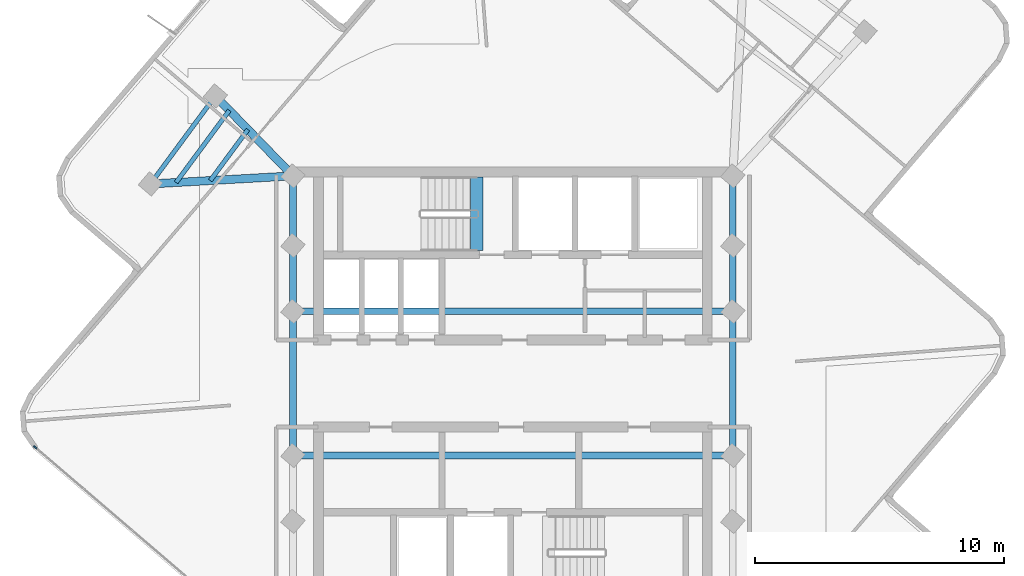
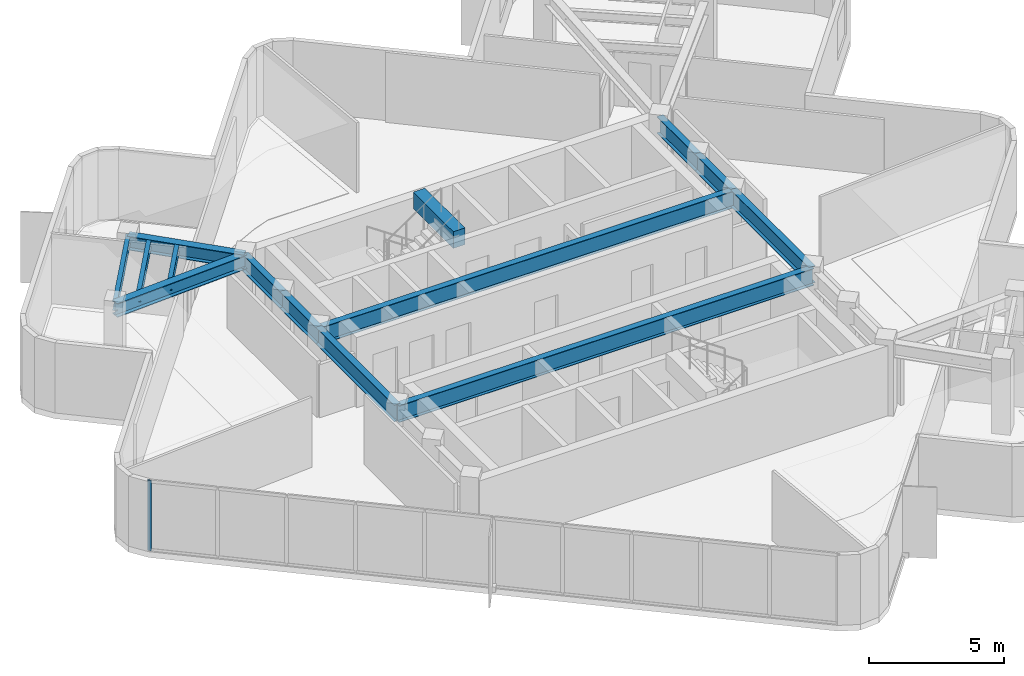
# One storey, part 4 of 11: 14 beams, 1 member, 1 element without a shape of its own.
"""IFC4 building model written with IfcOpenShell, lengths in metres."""

from ifc_helpers import new_model, si_unit, direction, frame, origin, origin_2d, place, context, subcontext, project, spatial, rectangle, i_section, extrude, material, layer, layer_set, material_profile, profile_set, type_object, element, aggregate, save


model = new_model("IFC4")

# Units and contexts
model_context = context("Model", 3, precision=1e-05, world=origin(), true_north=direction((0.0, 1.0)))
body_context = subcontext(model_context, "Body", "Model", "MODEL_VIEW")
ifc_project = project(units=[si_unit("LENGTHUNIT", "METRE"), si_unit("AREAUNIT", "SQUARE_METRE"), si_unit("VOLUMEUNIT", "CUBIC_METRE"), si_unit("PLANEANGLEUNIT", "RADIAN"), si_unit("MASSUNIT", "GRAM", prefix="KILO")], contexts=[model_context])

# Site, building, storey
site_placement = place(None, origin())
site = spatial("IfcSite", under=ifc_project, at=site_placement, CompositionType="ELEMENT")
building_placement = place(site_placement, origin())
building = spatial("IfcBuilding", under=site, at=building_placement, Name="Solmarez Civic Tower", CompositionType="ELEMENT")
storey_placement = place(building_placement, frame((0.0, 0.0, 250.919921875)))
storey = spatial("IfcBuildingStorey", under=building, at=storey_placement, Name="L67", CompositionType="ELEMENT", Elevation=250.919921875)

# Beams
ifc_material_1 = material(Name="Steel S355", Category="steel")
ifc_material_profile_1 = material_profile(ifc_material_1, i_section(OverallWidth=0.178955078125, OverallDepth=0.409912109375, WebThickness=0.0087890625, FlangeThickness=0.014404296875, at=origin_2d()), Name="W16X45")
ifc_profile_set_1 = profile_set([ifc_material_profile_1], Name="Steel S355")
beam_type_1 = type_object("IfcBeamType", Name="BM-JS-W16X45", PredefinedType="JOIST", material=ifc_profile_set_1)
beam_1_placement = place(storey_placement, frame((-11.970947265625, 11.56591796875, 2.955078125), z_axis=(-0.593730834471, -0.804663716219, 0.0), x_axis=(0.804663716219, -0.593730834471, 0.0)))
element("IfcBeam", 1, at=beam_1_placement, inside=storey, type_object=beam_type_1, Name="L67 Secondary Floor Joist BM-L67-NA-T1", PredefinedType="JOIST", context=body_context, shape_type="SweptSolid", body=[
    extrude(i_section(OverallWidth=0.178955078125, OverallDepth=0.409912109375, WebThickness=0.0087890625, FlangeThickness=0.014404296875, at=origin_2d()), origin(), (0.0, 0.0, 1.0), 4.3994140625),
])
beam_2_placement = place(storey_placement, frame((-10.659912109375, 10.215087890625, 2.955078125), z_axis=(-0.593812477683, -0.804603468392, 0.0), x_axis=(0.804603468392, -0.593812477683, 0.0)))
element("IfcBeam", 2, at=beam_2_placement, inside=storey, type_object=beam_type_1, Name="L67 Secondary Floor Joist JS-L67-NA-M11", PredefinedType="JOIST", context=body_context, shape_type="SweptSolid", body=[
    extrude(i_section(OverallWidth=0.178955078125, OverallDepth=0.409912109375, WebThickness=0.0087890625, FlangeThickness=0.014404296875, at=origin_2d()), origin(), (0.0, 0.0, 1.0), 2.551513671875),
])
beam_3_placement = place(storey_placement, frame((-11.408935546875, 10.987060546875, 2.955078125), z_axis=(-0.593734433343, -0.804661060735, 0.0), x_axis=(0.804661060735, -0.593734433343, 0.0)))
element("IfcBeam", 3, at=beam_3_placement, inside=storey, type_object=beam_type_1, Name="L67 Secondary Floor Joist JS-L67-NA-M12", PredefinedType="JOIST", context=body_context, shape_type="SweptSolid", body=[
    extrude(i_section(OverallWidth=0.178955078125, OverallDepth=0.409912109375, WebThickness=0.0087890625, FlangeThickness=0.014404296875, at=origin_2d()), origin(), (0.0, 0.0, 1.0), 3.60791015625),
])
ifc_material_2 = material(Name="Concrete C50/60", Category="concrete")
ifc_material_profile_2 = material_profile(ifc_material_2, rectangle(XDim=0.5, YDim=0.75, at=origin_2d()), Name="RC500X750")
ifc_profile_set_2 = profile_set([ifc_material_profile_2], Name="Concrete C50/60")
beam_type_2 = type_object("IfcBeamType", Name="BM-PR-RC500X750", PredefinedType="BEAM", material=ifc_profile_set_2)
beam_4_placement = place(storey_placement, frame((-1.449951171875, 5.340087890625, 3.052978515625), z_axis=(0.0, 1.0, 0.0), x_axis=(-1.0, 0.0, 0.0)))
element("IfcBeam", 4, at=beam_4_placement, inside=storey, type_object=beam_type_2, Name="L67 North Stair Threshold Beam", PredefinedType="BEAM", context=body_context, shape_type="SweptSolid", body=[
    extrude(rectangle(XDim=0.5, YDim=0.75, at=origin_2d()), origin(), (0.0, 0.0, 1.0), 2.9599609375),
])
ifc_material_profile_3 = material_profile(ifc_material_1, i_section(OverallWidth=0.327880859375, OverallDepth=0.6220703125, WebThickness=0.015380859375, FlangeThickness=0.0244140625, at=origin_2d()), Name="W24X131")
ifc_profile_set_3 = profile_set([ifc_material_profile_3], Name="Steel S355")
beam_type_3 = type_object("IfcBeamType", Name="BM-PR-W24X131", PredefinedType="BEAM", material=ifc_profile_set_3)
beam_5_placement = place(storey_placement, frame((-8.85009765625, 8.35009765625, 2.84912109375), z_axis=(-0.696430820305, 0.717623935309, 0.0), x_axis=(-0.717623935309, -0.696430820305, 0.0)))
element("IfcBeam", 5, at=beam_5_placement, inside=storey, type_object=beam_type_3, Name="L67 Primary Floor Beam BM-L67-NA-R1A", PredefinedType="BEAM", context=body_context, shape_type="SweptSolid", body=[
    extrude(i_section(OverallWidth=0.327880859375, OverallDepth=0.6220703125, WebThickness=0.015380859375, FlangeThickness=0.0244140625, at=origin_2d()), origin(), (0.0, 0.0, 1.0), 4.481201171875),
])
beam_6_placement = place(storey_placement, frame((-8.85009765625, 8.35009765625, 2.84912109375), z_axis=(-0.998404650863, -0.056463732917, 0.0), x_axis=(0.056463732917, -0.998404650863, 0.0)))
element("IfcBeam", 6, at=beam_6_placement, inside=storey, type_object=beam_type_3, Name="L67 Primary Floor Beam BM-L67-NA-R1B", PredefinedType="BEAM", context=body_context, shape_type="SweptSolid", body=[
    extrude(i_section(OverallWidth=0.327880859375, OverallDepth=0.6220703125, WebThickness=0.015380859375, FlangeThickness=0.0244140625, at=origin_2d()), origin(), (0.0, 0.0, 1.0), 5.7421875),
])
ifc_material_profile_4 = material_profile(ifc_material_1, i_section(OverallWidth=0.26708984375, OverallDepth=0.761962890625, WebThickness=0.014404296875, FlangeThickness=0.021484375, at=origin_2d()), Name="W30X116")
ifc_profile_set_4 = profile_set([ifc_material_profile_4], Name="Steel S355")
beam_type_4 = type_object("IfcBeamType", Name="BM-PR-W30X116", PredefinedType="BEAM", material=ifc_profile_set_4)
beam_7_placement = place(storey_placement, frame((-8.85009765625, -2.89990234375, 2.779052734375), z_axis=(0.0, 1.0, 0.0), x_axis=(-1.0, 0.0, 0.0)))
element("IfcBeam", 7, at=beam_7_placement, inside=storey, type_object=beam_type_4, Name="L67 Primary Floor Beam BM-L67-HC2-HC3", PredefinedType="BEAM", context=body_context, shape_type="SweptSolid", body=[
    extrude(i_section(OverallWidth=0.26708984375, OverallDepth=0.761962890625, WebThickness=0.014404296875, FlangeThickness=0.021484375, at=origin_2d()), origin(), (0.0, 0.0, 1.0), 5.7998046875),
])
beam_8_placement = place(storey_placement, frame((-8.85009765625, 2.89990234375, 2.779052734375), z_axis=(0.0, 1.0, 0.0), x_axis=(-1.0, 0.0, 0.0)))
element("IfcBeam", 8, at=beam_8_placement, inside=storey, type_object=beam_type_4, Name="L67 Primary Floor Beam BM-L67-HC3-HC4", PredefinedType="BEAM", context=body_context, shape_type="SweptSolid", body=[
    extrude(i_section(OverallWidth=0.26708984375, OverallDepth=0.761962890625, WebThickness=0.014404296875, FlangeThickness=0.021484375, at=origin_2d()), origin(), (0.0, 0.0, 1.0), 2.650146484375),
])
beam_9_placement = place(storey_placement, frame((-8.85009765625, 5.550048828125, 2.779052734375), z_axis=(0.0, 1.0, 0.0), x_axis=(-1.0, 0.0, 0.0)))
element("IfcBeam", 9, at=beam_9_placement, inside=storey, type_object=beam_type_4, Name="L67 Primary Floor Beam BM-L67-HC4-HC9", PredefinedType="BEAM", context=body_context, shape_type="SweptSolid", body=[
    extrude(i_section(OverallWidth=0.26708984375, OverallDepth=0.761962890625, WebThickness=0.014404296875, FlangeThickness=0.021484375, at=origin_2d()), origin(), (0.0, 0.0, 1.0), 2.800048828125),
])
beam_10_placement = place(storey_placement, frame((8.85009765625, -2.89990234375, 2.779052734375), z_axis=(0.0, 1.0, 0.0), x_axis=(-1.0, 0.0, 0.0)))
element("IfcBeam", 10, at=beam_10_placement, inside=storey, type_object=beam_type_4, Name="L67 Primary Floor Beam BM-L67-HC6-HC7", PredefinedType="BEAM", context=body_context, shape_type="SweptSolid", body=[
    extrude(i_section(OverallWidth=0.26708984375, OverallDepth=0.761962890625, WebThickness=0.014404296875, FlangeThickness=0.021484375, at=origin_2d()), origin(), (0.0, 0.0, 1.0), 5.7998046875),
])
beam_11_placement = place(storey_placement, frame((8.85009765625, 2.89990234375, 2.779052734375), z_axis=(0.0, 1.0, 0.0), x_axis=(-1.0, 0.0, 0.0)))
element("IfcBeam", 11, at=beam_11_placement, inside=storey, type_object=beam_type_4, Name="L67 Primary Floor Beam BM-L67-HC7-HC8", PredefinedType="BEAM", context=body_context, shape_type="SweptSolid", body=[
    extrude(i_section(OverallWidth=0.26708984375, OverallDepth=0.761962890625, WebThickness=0.014404296875, FlangeThickness=0.021484375, at=origin_2d()), origin(), (0.0, 0.0, 1.0), 2.650146484375),
])
beam_12_placement = place(storey_placement, frame((8.85009765625, 5.550048828125, 2.779052734375), z_axis=(0.0, 1.0, 0.0), x_axis=(-1.0, 0.0, 0.0)))
element("IfcBeam", 12, at=beam_12_placement, inside=storey, type_object=beam_type_4, Name="L67 Primary Floor Beam BM-L67-HC8-HC11", PredefinedType="BEAM", context=body_context, shape_type="SweptSolid", body=[
    extrude(i_section(OverallWidth=0.26708984375, OverallDepth=0.761962890625, WebThickness=0.014404296875, FlangeThickness=0.021484375, at=origin_2d()), origin(), (0.0, 0.0, 1.0), 2.800048828125),
])
for number, where, z_axis, x_axis, name in (
    (13, (-8.85009765625, -2.89990234375, 2.779052734375), (1.0, 0.0, 0.0), (0.0, 1.0, 0.0), "L67 Primary Floor Beam BM-L67-HC2-HC6"),
    (14, (-8.85009765625, 2.89990234375, 2.779052734375), (1.0, 0.0, 0.0), (0.0, 1.0, 0.0), "L67 Primary Floor Beam BM-L67-HC3-HC7"),
):
    element("IfcBeam", number, at=place(storey_placement, frame(where, z_axis=z_axis, x_axis=x_axis)), inside=storey, type_object=beam_type_4, Name=name, PredefinedType="BEAM", context=body_context, shape_type="SweptSolid", body=[
        extrude(i_section(OverallWidth=0.26708984375, OverallDepth=0.761962890625, WebThickness=0.014404296875, FlangeThickness=0.021484375, at=origin_2d()), origin(), (0.0, 0.0, 1.0), 17.7001953125),
    ])

# Curtain wall, member
ifc_material_3 = material(Name="Bronze Anodised Aluminium EN AW-6063 T6", Category="aluminium")
ifc_layer = layer(ifc_material_3, 0.1650390625)
ifc_layer_set = layer_set([ifc_layer], Name="Bronze Anodised Aluminium EN AW-6063 T6")
curtain_wall_type = type_object("IfcCurtainWallType", Name="CW-SYS-4", PredefinedType="NOTDEFINED", material=ifc_layer_set)
curtain_wall_placement = place(storey_placement, origin())
curtain_wall = element("IfcCurtainWall", 15, at=curtain_wall_placement, inside=storey, type_object=curtain_wall_type, Name="L67 Stick-Built Curtain Wall 2", PredefinedType="NOTDEFINED")
ifc_material_profile_5 = material_profile(ifc_material_3, rectangle(XDim=0.06005859375, YDim=0.14990234375, at=origin_2d()), Name="CWM-60X150")
ifc_profile_set_5 = profile_set([ifc_material_profile_5], Name="Bronze Anodised Aluminium EN AW-6063 T6")
member_type = type_object("IfcMemberType", Name="CWM-TYPE-4", PredefinedType="MULLION", material=ifc_profile_set_5)
member_placement = place(storey_placement, frame((-19.22021484375, -2.569580078125, 0.0), z_axis=(0.0, 0.0, 1.0), x_axis=(-0.650244780731, -0.759724769329, 0.0)))
member = element("IfcMember", 16, at=member_placement, type_object=member_type, Name="CWS4 mullion 11", PredefinedType="MULLION", context=body_context, shape_type="SweptSolid", body=[
    extrude(rectangle(XDim=0.06005859375, YDim=0.14990234375, at=origin_2d()), origin(), (0.0, 0.0, 1.0), 3.16015625),
])
aggregate(curtain_wall, [member])

save(model, "model.ifc")
